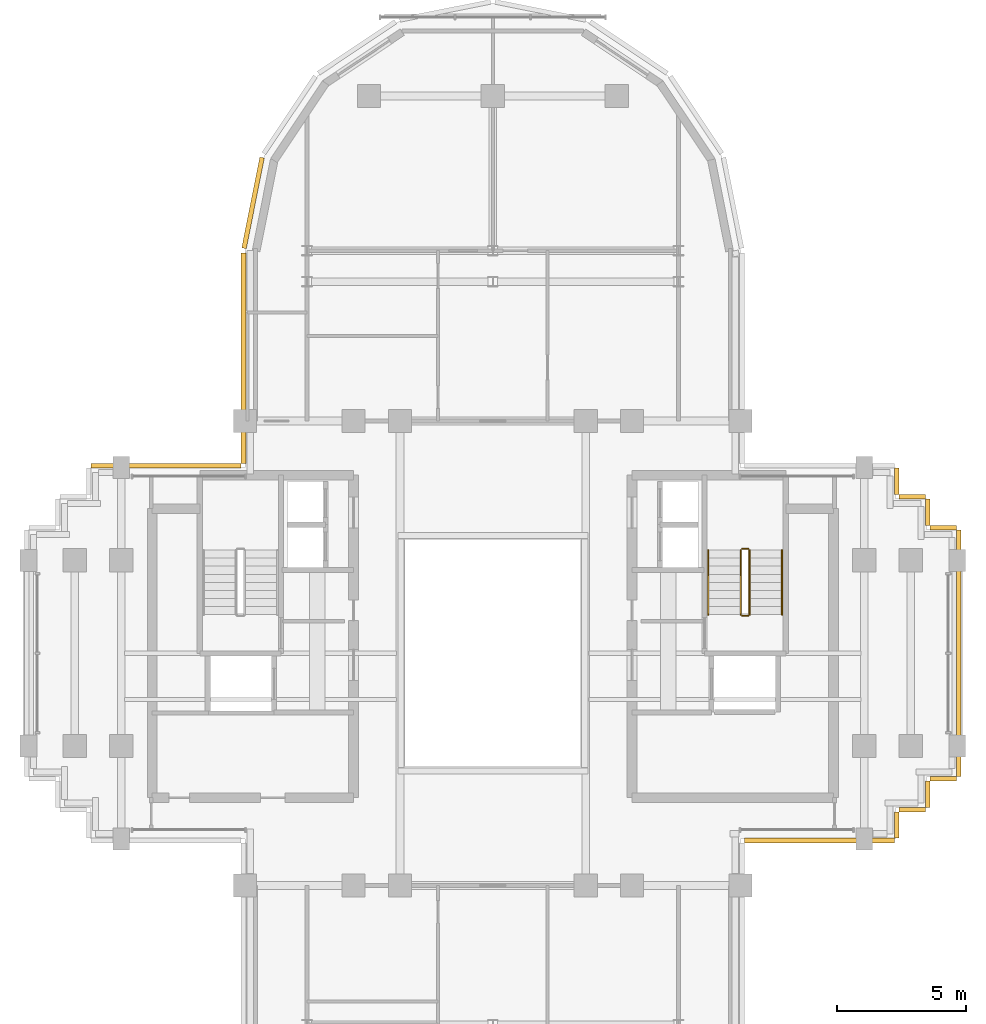
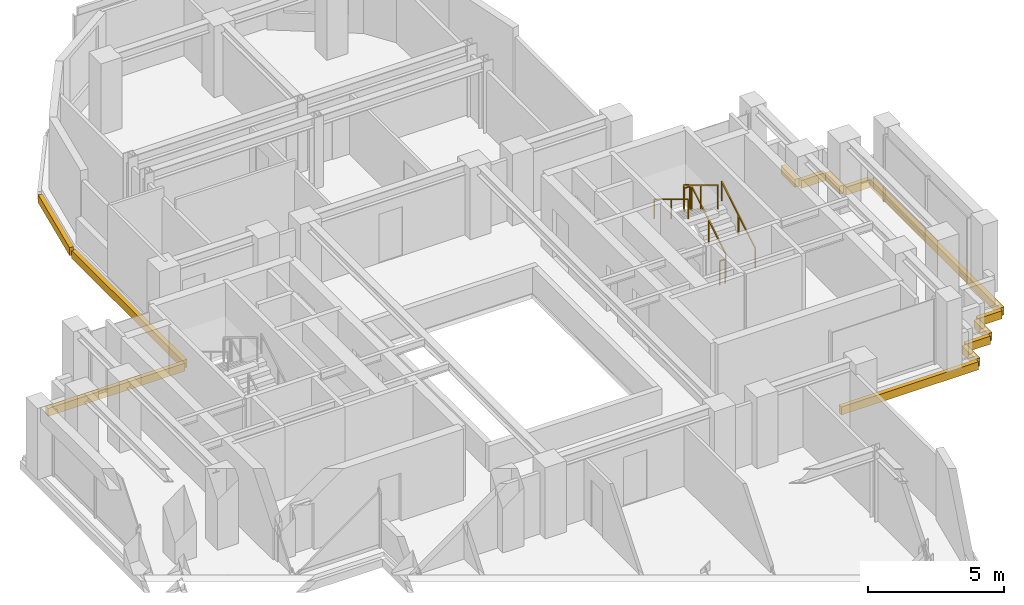
# One storey, part 10 of 11: 13 coverings, 6 railings.
"""IFC4 building model written with IfcOpenShell, lengths in metres."""

from ifc_helpers import new_model, si_unit, direction, frame, origin, origin_2d, place, context, subcontext, project, spatial, rectangle, extrude, source, transform, mapped, material, layer, layer_set, type_object, element, save


model = new_model("IFC4")

# Units and contexts
model_context = context("Model", 3, precision=1e-05, world=origin(), true_north=direction((0.0, 1.0)))
body_context = subcontext(model_context, "Body", "Model", "MODEL_VIEW")
ifc_project = project(units=[si_unit("LENGTHUNIT", "METRE"), si_unit("AREAUNIT", "SQUARE_METRE"), si_unit("VOLUMEUNIT", "CUBIC_METRE"), si_unit("PLANEANGLEUNIT", "RADIAN"), si_unit("MASSUNIT", "GRAM", prefix="KILO")], contexts=[model_context])

# Site, building, storey
site_placement = place(None, origin())
site = spatial("IfcSite", under=ifc_project, at=site_placement, CompositionType="ELEMENT")
building_placement = place(site_placement, origin())
building = spatial("IfcBuilding", under=site, at=building_placement, Name="Keilestroom Media Tower", CompositionType="ELEMENT")
storey_placement = place(building_placement, frame((0.0, 0.0, 208.0)))
storey = spatial("IfcBuildingStorey", under=building, at=storey_placement, Name="L57", CompositionType="ELEMENT", Elevation=208.0)

# Railings
ifc_material_1 = material(Name="Brushed Stainless Steel 1.4301", Category="steel")
railing_type_1 = type_object("IfcRailingType", Name="Stair-Pitch-Handrail-920", PredefinedType="HANDRAIL", material=ifc_material_1)
railing_1_placement = place(storey_placement, frame((11.2099609375, 1.5, 0.18896484375)))
element("IfcRailing", 1, at=railing_1_placement, inside=storey, type_object=railing_type_1, Name="L57 ST-2 stair handrail 1", PredefinedType="HANDRAIL", context=body_context, shape_type="SweptSolid", body=[
    extrude(rectangle(XDim=0.048095703125, YDim=0.048095703125, at=origin_2d()), frame((0.0, 0.0, 0.8759765625), z_axis=(0.0, 0.855470815493, 0.517851024754), x_axis=(-1.0, 0.0, 0.0)), (0.0, 0.0, 1.0), 2.917724609375),
    extrude(rectangle(XDim=0.0419921875, YDim=0.0419921875, at=origin_2d()), origin(), (0.0, 0.0, 1.0), 0.84375),
    extrude(rectangle(XDim=0.0419921875, YDim=0.0419921875, at=origin_2d()), frame((0.0, 1.248046875, 0.75537109375)), (0.0, 0.0, 1.0), 0.84375),
    extrude(rectangle(XDim=0.0419921875, YDim=0.0419921875, at=origin_2d()), frame((0.0, 2.49609375, 1.510986328125)), (0.0, 0.0, 1.0), 0.84375),
])
railing_2_placement = place(storey_placement, frame((8.35009765625, 3.99609375, 1.888916015625)))
element("IfcRailing", 2, at=railing_2_placement, inside=storey, type_object=railing_type_1, Name="L57 ST-2 stair handrail 2", PredefinedType="HANDRAIL", context=body_context, shape_type="SweptSolid", body=[
    extrude(rectangle(XDim=0.048095703125, YDim=0.048095703125, at=origin_2d()), frame((0.0, 0.0, 0.8759765625), z_axis=(0.0, -0.855470815493, 0.517851024754), x_axis=(1.0, 0.0, 0.0)), (0.0, 0.0, 1.0), 2.917724609375),
    extrude(rectangle(XDim=0.0419921875, YDim=0.0419921875, at=origin_2d()), origin(), (0.0, 0.0, 1.0), 0.84375),
    extrude(rectangle(XDim=0.0419921875, YDim=0.0419921875, at=origin_2d()), frame((0.0, -1.248046875, 0.75537109375)), (0.0, 0.0, 1.0), 0.84375),
    extrude(rectangle(XDim=0.0419921875, YDim=0.0419921875, at=origin_2d()), frame((0.0, -2.49609375, 1.510986328125)), (0.0, 0.0, 1.0), 0.84375),
])
ifc_material_2 = material(Name="Painted Steel Balustrade", Category="steel")
railing_type_2 = type_object("IfcRailingType", Name="Stair-Well-And-Landing-Guard-1100", PredefinedType="GUARDRAIL", material=ifc_material_2)
railing_3_placement = place(storey_placement, frame((9.949951171875, 1.5, 0.18896484375)))
element("IfcRailing", 3, at=railing_3_placement, inside=storey, type_object=railing_type_2, Name="L57 ST-2 stair guard 1", PredefinedType="GUARDRAIL", context=body_context, shape_type="SweptSolid", body=[
    extrude(rectangle(XDim=0.048095703125, YDim=0.048095703125, at=origin_2d()), frame((0.0, 0.0, 1.076171875), z_axis=(0.0, 0.855470815493, 0.517851024754), x_axis=(-1.0, 0.0, 0.0)), (0.0, 0.0, 1.0), 2.917724609375),
    extrude(rectangle(XDim=0.0419921875, YDim=0.0419921875, at=origin_2d()), origin(), (0.0, 0.0, 1.0), 1.0439453125),
    extrude(rectangle(XDim=0.0419921875, YDim=0.0419921875, at=origin_2d()), frame((0.0, 1.248046875, 0.75537109375)), (0.0, 0.0, 1.0), 1.0439453125),
    extrude(rectangle(XDim=0.0419921875, YDim=0.0419921875, at=origin_2d()), frame((0.0, 2.49609375, 1.510986328125)), (0.0, 0.0, 1.0), 1.0439453125),
])
railing_4_placement = place(storey_placement, frame((9.89990234375, 4.0458984375, 1.699951171875)))
element("IfcRailing", 4, at=railing_4_placement, inside=storey, type_object=railing_type_2, Name="L57 ST-2 stair guard 2", PredefinedType="GUARDRAIL", context=body_context, shape_type="SweptSolid", body=[
    extrude(rectangle(XDim=0.048095703125, YDim=0.048095703125, at=origin_2d()), frame((0.0, 0.0, 1.076171875), z_axis=(-1.0, 0.0, 0.0), x_axis=(0.0, -1.0, 0.0)), (0.0, 0.0, 1.0), 0.239990234375),
    extrude(rectangle(XDim=0.0419921875, YDim=0.0419921875, at=origin_2d()), origin(), (0.0, 0.0, 1.0), 1.0439453125),
    extrude(rectangle(XDim=0.0419921875, YDim=0.0419921875, at=origin_2d()), frame((-0.239990234375, 0.0, 0.0)), (0.0, 0.0, 1.0), 1.0439453125),
])
railing_5_placement = place(storey_placement, frame((9.610107421875, 3.99609375, 1.888916015625)))
element("IfcRailing", 5, at=railing_5_placement, inside=storey, type_object=railing_type_2, Name="L57 ST-2 stair guard 3", PredefinedType="GUARDRAIL", context=body_context, shape_type="SweptSolid", body=[
    extrude(rectangle(XDim=0.048095703125, YDim=0.048095703125, at=origin_2d()), frame((0.0, 0.0, 1.076171875), z_axis=(0.0, -0.855470815493, 0.517851024754), x_axis=(1.0, 0.0, 0.0)), (0.0, 0.0, 1.0), 2.917724609375),
    extrude(rectangle(XDim=0.0419921875, YDim=0.0419921875, at=origin_2d()), origin(), (0.0, 0.0, 1.0), 1.0439453125),
    extrude(rectangle(XDim=0.0419921875, YDim=0.0419921875, at=origin_2d()), frame((0.0, -1.248046875, 0.75537109375)), (0.0, 0.0, 1.0), 1.0439453125),
    extrude(rectangle(XDim=0.0419921875, YDim=0.0419921875, at=origin_2d()), frame((0.0, -2.49609375, 1.510986328125)), (0.0, 0.0, 1.0), 1.0439453125),
])
railing_6_placement = place(storey_placement, frame((9.89990234375, 1.449951171875, 0.0)))
element("IfcRailing", 6, at=railing_6_placement, inside=storey, type_object=railing_type_2, Name="L57 ST-2 stair guard 4", PredefinedType="GUARDRAIL", context=body_context, shape_type="SweptSolid", body=[
    extrude(rectangle(XDim=0.048095703125, YDim=0.048095703125, at=origin_2d()), frame((0.0, 0.0, 1.076171875), z_axis=(-1.0, 0.0, 0.0), x_axis=(0.0, -1.0, 0.0)), (0.0, 0.0, 1.0), 0.239990234375),
    extrude(rectangle(XDim=0.0419921875, YDim=0.0419921875, at=origin_2d()), origin(), (0.0, 0.0, 1.0), 1.0439453125),
    extrude(rectangle(XDim=0.0419921875, YDim=0.0419921875, at=origin_2d()), frame((-0.239990234375, 0.0, 0.0)), (0.0, 0.0, 1.0), 1.0439453125),
])

# Coverings
ifc_material_3 = material(Name="Precast concrete C40/50", Category="concrete")
ifc_layer = layer(ifc_material_3, 0.1201171875)
ifc_layer_set = layer_set([ifc_layer], Name="Precast concrete C40/50")
covering_type = type_object("IfcCoveringType", Name="Exterior-Precast-Spandrel-Cladding-Panel-120", PredefinedType="CLADDING", material=ifc_layer_set)
shared_shape_1 = source(origin(), body_context, "Body", "SweptSolid", [
    extrude(rectangle(XDim=1.02001953125, YDim=0.179931640625, at=origin_2d()), origin(), (0.0, 0.0, 1.0), 0.360107421875),
])
for number, where, z_axis, x_axis, name in (
    (7, (17.4599609375, -4.860107421875, -0.5400390625), (0.0, 0.0, 1.0), (-1.0, 0.0, 0.0), "L57 Precast Slab-Edge Fascia Cornice 01"),
    (8, (16.860107421875, -5.4599609375, -0.5400390625), (0.0, 0.0, 1.0), (0.0, -1.0, 0.0), "L57 Precast Slab-Edge Fascia Cornice 02"),
    (9, (16.260009765625, -6.06005859375, -0.5400390625), (0.0, 0.0, 1.0), (-1.0, 0.0, 0.0), "L57 Precast Slab-Edge Fascia Cornice 03"),
    (10, (15.659912109375, -6.659912109375, -0.5400390625), (0.0, 0.0, 1.0), (0.0, -1.0, 0.0), "L57 Precast Slab-Edge Fascia Cornice 04"),
    (11, (15.659912109375, 6.659912109375, -0.5400390625), (0.0, 0.0, 1.0), (0.0, -1.0, 0.0), "L57 Precast Slab-Edge Fascia Cornice 38"),
    (12, (16.260009765625, 6.06005859375, -0.5400390625), (0.0, 0.0, 1.0), (1.0, 0.0, 0.0), "L57 Precast Slab-Edge Fascia Cornice 39"),
    (13, (16.860107421875, 5.4599609375, -0.5400390625), (0.0, 0.0, 1.0), (0.0, -1.0, 0.0), "L57 Precast Slab-Edge Fascia Cornice 40"),
    (14, (17.4599609375, 4.860107421875, -0.5400390625), (0.0, 0.0, 1.0), (1.0, 0.0, 0.0), "L57 Precast Slab-Edge Fascia Cornice 41"),
):
    element("IfcCovering", number, at=place(storey_placement, frame(where, z_axis=z_axis, x_axis=x_axis)), inside=storey, type_object=covering_type, Name=name, PredefinedType="CLADDING", context=body_context, shape_type="MappedRepresentation", body=[
        mapped(shared_shape_1, transform((0.0, 0.0, 0.0), x_axis=(1.0, 0.0, 0.0), y_axis=(0.0, 1.0, 0.0), z_axis=(0.0, 0.0, 1.0), scale=1.0)),
    ])
shared_shape_2 = source(origin(), body_context, "Body", "SweptSolid", [
    extrude(rectangle(XDim=8.166015625, YDim=0.179931640625, at=origin_2d()), origin(), (0.0, 0.0, 1.0), 0.360107421875),
])
covering_1_placement = place(storey_placement, frame((-9.659912109375, 11.43310546875, -0.5400390625), z_axis=(0.0, 0.0, 1.0), x_axis=(0.0, 1.0, 0.0)))
element("IfcCovering", 15, at=covering_1_placement, inside=storey, type_object=covering_type, Name="L57 Precast Slab-Edge Fascia Cornice 27", PredefinedType="CLADDING", context=body_context, shape_type="MappedRepresentation", body=[
    mapped(shared_shape_2, transform((0.0, 0.0, 0.0), x_axis=(1.0, 0.0, 0.0), y_axis=(0.0, 1.0, 0.0), z_axis=(0.0, 0.0, 1.0), scale=1.0)),
])
shared_shape_3 = source(origin(), body_context, "Body", "SweptSolid", [
    extrude(rectangle(XDim=3.58349609375, YDim=0.179931640625, at=origin_2d()), origin(), (0.0, 0.0, 1.0), 0.360107421875),
])
covering_2_placement = place(storey_placement, frame((-9.29296875, 17.45166015625, -0.5400390625), z_axis=(0.0, 0.0, 1.0), x_axis=(0.195098880975, 0.980783577882, 0.0)))
element("IfcCovering", 16, at=covering_2_placement, inside=storey, type_object=covering_type, Name="L57 Precast Slab-Edge Fascia Cornice 28", PredefinedType="CLADDING", context=body_context, shape_type="MappedRepresentation", body=[
    mapped(shared_shape_3, transform((0.0, 0.0, 0.0), x_axis=(1.0, 0.0, 0.0), y_axis=(0.0, 1.0, 0.0), z_axis=(0.0, 0.0, 1.0), scale=1.0)),
])
shared_shape_4 = source(origin(), body_context, "Body", "SweptSolid", [
    extrude(rectangle(XDim=9.5400390625, YDim=0.179931640625, at=origin_2d()), origin(), (0.0, 0.0, 1.0), 0.360107421875),
])
covering_3_placement = place(storey_placement, frame((18.06005859375, 0.0, -0.5400390625), z_axis=(0.0, 0.0, 1.0), x_axis=(0.0, -1.0, 0.0)))
element("IfcCovering", 17, at=covering_3_placement, inside=storey, type_object=covering_type, Name="L57 Precast Slab-Edge Fascia Cornice 42", PredefinedType="CLADDING", context=body_context, shape_type="MappedRepresentation", body=[
    mapped(shared_shape_4, transform((0.0, 0.0, 0.0), x_axis=(1.0, 0.0, 0.0), y_axis=(0.0, 1.0, 0.0), z_axis=(0.0, 0.0, 1.0), scale=1.0)),
])
shared_shape_5 = source(origin(), body_context, "Body", "SweptSolid", [
    extrude(rectangle(XDim=5.820068359375, YDim=0.179931640625, at=origin_2d()), origin(), (0.0, 0.0, 1.0), 0.360107421875),
])
for number, where, z_axis, x_axis, name in (
    (18, (12.659912109375, -7.260009765625, -0.5400390625), (0.0, 0.0, 1.0), (-1.0, 0.0, 0.0), "L57 Precast Slab-Edge Fascia Cornice 05"),
    (19, (-12.659912109375, 7.260009765625, -0.5400390625), (0.0, 0.0, 1.0), (1.0, 0.0, 0.0), "L57 Precast Slab-Edge Fascia Cornice 26"),
):
    element("IfcCovering", number, at=place(storey_placement, frame(where, z_axis=z_axis, x_axis=x_axis)), inside=storey, type_object=covering_type, Name=name, PredefinedType="CLADDING", context=body_context, shape_type="MappedRepresentation", body=[
        mapped(shared_shape_5, transform((0.0, 0.0, 0.0), x_axis=(1.0, 0.0, 0.0), y_axis=(0.0, 1.0, 0.0), z_axis=(0.0, 0.0, 1.0), scale=1.0)),
    ])

save(model, "model.ifc")
